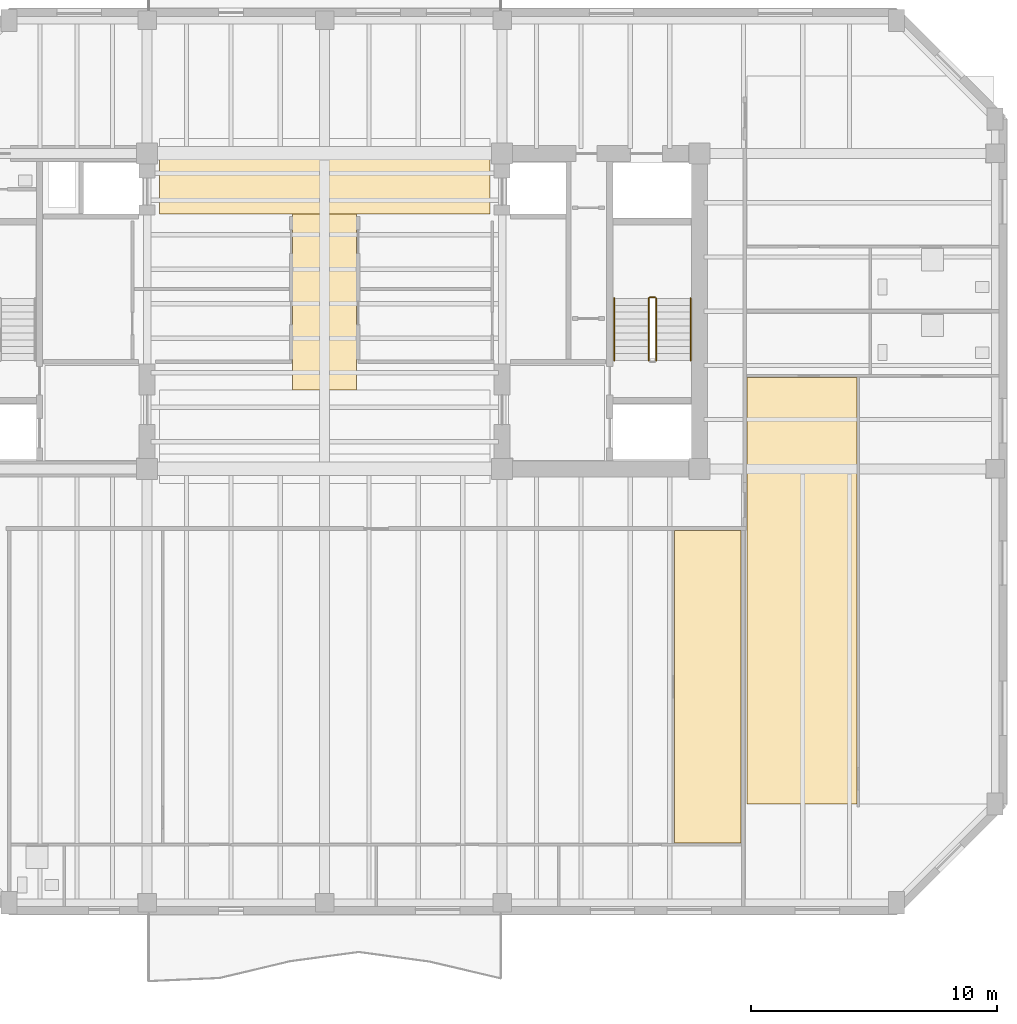
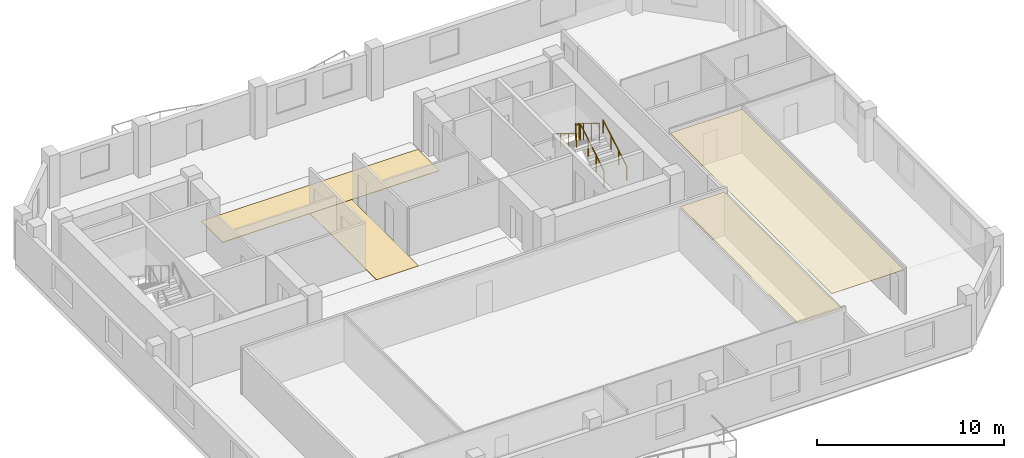
# One storey, part 7 of 9: 5 railings, 4 coverings.
"""IFC4 building model written with IfcOpenShell, lengths in metres."""

import ifcopenshell
import ifcopenshell.guid

model = None  # the IFC model being written
_history = None  # IfcOwnerHistory: only IFC2X3 demands one
_inside = {}  # id of a spatial element -> (the spatial element, [elements in it])
_under = {}  # id of a project, library or spatial element -> (it, [spatial elements below it])
_declared = {}  # id of a project -> (the project, [libraries it declares])
_typed = {}  # id of a type object -> (the type object, [elements of that type])
_made_of = {}  # id of a material, layer set ... -> (it, [elements and type objects made of it])


def new_model(schema):
    """Start an empty IFC model of exactly this schema.

    Asked for "IFC4X3", IfcOpenShell would pick the latest addendum, in which some entities
    have other attributes; the version numbers below select the first issue.
    IFC2X3 requires an IfcOwnerHistory on every rooted entity: one is made here for all.
    """
    global model, _history
    if schema == "IFC4X3":
        model = ifcopenshell.file(schema_version=(4, 3, 0, 0))
    else:
        model = ifcopenshell.file(schema=schema)
    _inside.clear()
    _under.clear()
    _declared.clear()
    _typed.clear()
    _made_of.clear()
    _history = None
    if model.schema == "IFC2X3":
        org = make("IfcOrganization", Name="unknown")
        user = make(
            "IfcPersonAndOrganization",
            ThePerson=make("IfcPerson", FamilyName="unknown"),
            TheOrganization=org,
        )
        app = make(
            "IfcApplication",
            ApplicationDeveloper=org,
            Version="unknown",
            ApplicationFullName="unknown",
            ApplicationIdentifier="unknown",
        )
        _history = make(
            "IfcOwnerHistory",
            OwningUser=user,
            OwningApplication=app,
            ChangeAction="ADDED",
            CreationDate=0,
        )
    return model


def make(cls, **values):
    """One entity of the class cls with the attributes given. An attribute that is None is left unset."""
    return model.create_entity(
        cls, **{name: value for name, value in values.items() if value is not None}
    )


def rooted(cls, **values):
    """An entity with a GlobalId (a new one), such as an element, a storey or a relation."""
    return make(cls, GlobalId=ifcopenshell.guid.new(), OwnerHistory=_history, **values)


def si_unit(unit_type, name, prefix=None):
    """IfcSIUnit, for example si_unit("LENGTHUNIT", "METRE", prefix="MILLI")."""
    return make("IfcSIUnit", UnitType=unit_type, Prefix=prefix, Name=name)


def assignment(units):
    """IfcUnitAssignment: the units of a project."""
    return None if units is None else make("IfcUnitAssignment", Units=units)


def point(xyz):
    """IfcCartesianPoint."""
    return None if xyz is None else make("IfcCartesianPoint", Coordinates=xyz)


def direction(xyz):
    """IfcDirection."""
    return None if xyz is None else make("IfcDirection", DirectionRatios=xyz)


def frame(location, z_axis=None, x_axis=None):
    """IfcAxis2Placement3D, a coordinate frame: its origin and axes. An axis left out is left unset."""
    return make(
        "IfcAxis2Placement3D",
        Location=point(location),
        Axis=direction(z_axis),
        RefDirection=direction(x_axis),
    )


def frame_2d(location, x_axis=None):
    """IfcAxis2Placement2D, a coordinate frame in the plane: its origin and x axis."""
    return make(
        "IfcAxis2Placement2D", Location=point(location), RefDirection=direction(x_axis)
    )


def origin():
    """The frame at (0, 0, 0) with its axes left unset."""
    return frame((0.0, 0.0, 0.0))


def origin_2d():
    """The frame at (0, 0) in the plane with its x axis left unset."""
    return frame_2d((0.0, 0.0))


def place(relative_to, where):
    """IfcLocalPlacement: puts the frame where relative to a parent placement (None: the world)."""
    return make(
        "IfcLocalPlacement", PlacementRelTo=relative_to, RelativePlacement=where
    )


def context(
    kind, dimensions, precision=None, world=None, true_north=None, identifier=None
):
    """IfcGeometricRepresentationContext, for example the 3D "Model" context."""
    return make(
        "IfcGeometricRepresentationContext",
        ContextIdentifier=identifier,
        ContextType=kind,
        CoordinateSpaceDimension=dimensions,
        Precision=precision,
        WorldCoordinateSystem=world,
        TrueNorth=true_north,
    )


def subcontext(parent, identifier, kind, view, scale=None):
    """IfcGeometricRepresentationSubContext, for example "Body" below "Model"."""
    return make(
        "IfcGeometricRepresentationSubContext",
        ContextIdentifier=identifier,
        ContextType=kind,
        ParentContext=parent,
        TargetScale=scale,
        TargetView=view,
    )


def project(units=None, contexts=None):
    """IfcProject with its units and contexts."""
    return rooted(
        "IfcProject",
        Name="project",
        RepresentationContexts=contexts,
        UnitsInContext=assignment(units),
    )


def spatial(cls, under=None, at=None, **own):
    """A site, building, storey or space (cls), placed at a placement, below another one or the project."""
    s = rooted(cls, ObjectPlacement=at, **own)
    if under is not None:
        _under.setdefault(under.id(), (under, []))[1].append(s)
    return s


def polyline(points):
    """IfcPolyline through the points."""
    return make("IfcPolyline", Points=[point(p) for p in points])


def profile(cls, at=None, kind="AREA", **sizes):
    """A parametric profile (cls). Its sizes go by their IFC names, for example OverallWidth=200.0."""
    return make(cls, ProfileType=kind, Position=at, **sizes)


def circle(**sizes):
    """IfcCircleProfileDef."""
    return profile("IfcCircleProfileDef", **sizes)


def outline(outer, holes=None, kind="AREA"):
    """IfcArbitraryClosedProfileDef: a profile drawn as a closed curve; with holes, ...WithVoids."""
    if holes is None:
        return make("IfcArbitraryClosedProfileDef", ProfileType=kind, OuterCurve=outer)
    return make(
        "IfcArbitraryProfileDefWithVoids",
        ProfileType=kind,
        OuterCurve=outer,
        InnerCurves=holes,
    )


def extrude(swept, where, along, depth):
    """IfcExtrudedAreaSolid: the profile swept, set in the frame where, extruded along a direction by depth."""
    return make(
        "IfcExtrudedAreaSolid",
        SweptArea=swept,
        Position=where,
        ExtrudedDirection=direction(along),
        Depth=depth,
    )


def shape(context_of_items, identifier, shape_type, items):
    """IfcShapeRepresentation: the items that make up one representation, for example the "Body"."""
    return make(
        "IfcShapeRepresentation",
        ContextOfItems=context_of_items,
        RepresentationIdentifier=identifier,
        RepresentationType=shape_type,
        Items=items,
    )


def material(Name=None, Category=None):
    """IfcMaterial."""
    return make("IfcMaterial", Name=Name, Category=Category)


def layer(
    of_material, thickness, ventilated=None, Name=None, Category=None, Priority=None
):
    """IfcMaterialLayer: one layer of a wall or slab, of a material (None: an air gap)."""
    return make(
        "IfcMaterialLayer",
        Material=of_material,
        LayerThickness=thickness,
        IsVentilated=ventilated,
        Name=Name,
        Category=Category,
        Priority=Priority,
    )


def layer_set(layers, Name=None):
    """IfcMaterialLayerSet."""
    return make("IfcMaterialLayerSet", MaterialLayers=layers, LayerSetName=Name)


def made_of(thing, what):
    """Note that an element or type object is made of a material, layer set ...; save() writes the relation."""
    if what is not None:
        _made_of.setdefault(what.id(), (what, []))[1].append(thing)
    return thing


def type_object(cls, material=None, **own):
    """A type object (cls), such as IfcWallType, which elements share."""
    return made_of(rooted(cls, **own), material)


def element(
    cls,
    number,
    at=None,
    inside=None,
    cuts=None,
    type_object=None,
    material=None,
    context=None,
    identifier="Body",
    shape_type=None,
    held_by="IfcProductDefinitionShape",
    body=None,
    shapes=None,
    **own,
):
    """One element of the class cls, such as IfcWall. Its Tag is "e" and its number.

    at: its placement. inside: the storey or other place that contains it. cuts: it is an
    opening in that element (IfcRelVoidsElement). A single representation is given by context,
    identifier, shape_type and body (its items); several are given by shapes. held_by: the class
    of the entity that holds the representations. save() writes the other relations.
    """
    e = rooted(cls, Tag="e%d" % number, ObjectPlacement=at, **own)
    if body is not None:
        shapes = [shape(context, identifier, shape_type, body)]
    if shapes is not None:
        e.Representation = make(held_by, Representations=shapes)
    if inside is not None:
        _inside.setdefault(inside.id(), (inside, []))[1].append(e)
    if cuts is not None:
        rooted(
            "IfcRelVoidsElement", RelatingBuildingElement=cuts, RelatedOpeningElement=e
        )
    if type_object is not None:
        _typed.setdefault(type_object.id(), (type_object, []))[1].append(e)
    return made_of(e, material)


def aggregate(whole, parts):
    """IfcRelAggregates: a whole, such as a stair, and the parts it consists of."""
    return rooted("IfcRelAggregates", RelatingObject=whole, RelatedObjects=parts)


def save(model, path):
    """Write the relations noted so far, then the file.

    IfcRelAggregates (storeys below a building ...), IfcRelContainedInSpatialStructure (elements
    in a storey), IfcRelDefinesByType, IfcRelAssociatesMaterial and IfcRelDeclares: one each for
    every whole, place, type object, material and project.
    """
    for whole, parts in _under.values():
        aggregate(whole, parts)
    for where, things in _inside.values():
        rooted(
            "IfcRelContainedInSpatialStructure",
            RelatedElements=things,
            RelatingStructure=where,
        )
    for kind, things in _typed.values():
        rooted("IfcRelDefinesByType", RelatedObjects=things, RelatingType=kind)
    for what, things in _made_of.values():
        rooted("IfcRelAssociatesMaterial", RelatedObjects=things, RelatingMaterial=what)
    for by, libraries in _declared.values():
        rooted("IfcRelDeclares", RelatingContext=by, RelatedDefinitions=libraries)
    model.write(path)


model = new_model("IFC4")

# Units and contexts
model_context = context("Model", 3, precision=1e-05, world=origin(), true_north=direction((0.0, 1.0)))
body_context = subcontext(model_context, "Body", "Model", "MODEL_VIEW")
ifc_project = project(units=[si_unit("LENGTHUNIT", "METRE"), si_unit("AREAUNIT", "SQUARE_METRE"), si_unit("VOLUMEUNIT", "CUBIC_METRE"), si_unit("PLANEANGLEUNIT", "RADIAN"), si_unit("MASSUNIT", "GRAM", prefix="KILO")], contexts=[model_context])

# Site, building, storey
site_placement = place(None, origin())
site = spatial("IfcSite", under=ifc_project, at=site_placement, CompositionType="ELEMENT")
building_placement = place(site_placement, origin())
building = spatial("IfcBuilding", under=site, at=building_placement, Name="Kranthara Brick Stack", CompositionType="ELEMENT")
storey_placement = place(building_placement, frame((0.0, 0.0, 238.10009765625)))
storey = spatial("IfcBuildingStorey", under=building, at=storey_placement, Name="L62", CompositionType="ELEMENT", Elevation=238.10009765625)

# Coverings
ifc_material_1 = material(Name="Perforated mineral-fibre acoustic ceiling tile", Category="other")
ifc_layer_1 = layer(ifc_material_1, 0.02490234375)
ifc_layer_set_1 = layer_set([ifc_layer_1], Name="Perforated mineral-fibre acoustic ceiling tile")
covering_type_1 = type_object("IfcCoveringType", Name="COV-CEIL-ACOUSTIC", PredefinedType="CEILING", material=ifc_layer_set_1)
covering_1_placement = place(storey_placement, frame((0.0, 0.0, 2.829833984375)))
element("IfcCovering", 1, at=covering_1_placement, inside=storey, type_object=covering_type_1, Name="L62 Unit L62A Bedroom 3 Acoustic Ceiling", PredefinedType="CEILING", context=body_context, shape_type="SweptSolid", body=[
    extrude(outline(polyline([(44.89990234375, 5.6298828125), (44.89990234375, 18.300048828125), (42.18798828125, 18.300048828125), (42.18798828125, 5.6298828125), (44.89990234375, 5.6298828125)])), origin(), (0.0, 0.0, 1.0), 0.025146484375),
])
covering_2_placement = place(storey_placement, frame((0.0, 0.0, 2.829833984375)))
element("IfcCovering", 2, at=covering_2_placement, inside=storey, type_object=covering_type_1, Name="L62 Unit L62B Studio Apartment Living Acoustic Ceiling", PredefinedType="CEILING", context=body_context, shape_type="SweptSolid", body=[
    extrude(outline(polyline([(49.595947265625, 7.199951171875), (49.595947265625, 24.510009765625), (45.139892578125, 24.510009765625), (45.139892578125, 7.199951171875), (49.595947265625, 7.199951171875)])), origin(), (0.0, 0.0, 1.0), 0.025146484375),
])
ifc_material_2 = material(Name="Honed terrazzo and porcelain floor finish", Category="stone")
ifc_layer_2 = layer(ifc_material_2, 0.030029296875)
ifc_layer_set_2 = layer_set([ifc_layer_2], Name="Honed terrazzo and porcelain floor finish")
covering_type_2 = type_object("IfcCoveringType", Name="COV-FLOR-STONE", PredefinedType="FLOORING", material=ifc_layer_set_2)
covering_3_placement = place(storey_placement, origin())
element("IfcCovering", 3, at=covering_3_placement, inside=storey, type_object=covering_type_2, Name="L62 Lift Lobby Stone Flooring", PredefinedType="FLOORING", context=body_context, shape_type="SweptSolid", body=[
    extrude(outline(polyline([(34.699951171875, 31.14990234375), (34.699951171875, 33.449951171875), (21.300048828125, 33.449951171875), (21.300048828125, 31.14990234375), (34.699951171875, 31.14990234375)])), origin(), (0.0, 0.0, 1.0), 0.02978515625),
])
covering_4_placement = place(storey_placement, origin())
element("IfcCovering", 4, at=covering_4_placement, inside=storey, type_object=covering_type_2, Name="L62 Lift Lobby Stone Flooring", PredefinedType="FLOORING", context=body_context, shape_type="SweptSolid", body=[
    extrude(outline(polyline([(29.300048828125, 24.0), (26.699951171875, 24.0), (26.699951171875, 31.14990234375), (29.300048828125, 31.14990234375), (29.300048828125, 24.0)])), origin(), (0.0, 0.0, 1.0), 0.02978515625),
])

# Railings
ifc_material_3 = material(Name="Painted galvanized steel stair guardrail", Category="steel")
railing_type_1 = type_object("IfcRailingType", Name="RL-STAIR-GUARD-1100", PredefinedType="GUARDRAIL", material=ifc_material_3)
railing_1_placement = place(storey_placement, frame((41.449951171875, 25.199951171875, 0.169921875)))
element("IfcRailing", 5, at=railing_1_placement, inside=storey, type_object=railing_type_1, Name="L62 ST02 stair guard 1", PredefinedType="GUARDRAIL", context=body_context, shape_type="SweptSolid", body=[
    extrude(circle(Radius=0.02392578125, at=origin_2d()), frame((0.0, 0.0, 1.076171875), z_axis=(0.0, 0.85478489116, 0.518982456201), x_axis=(-1.0, 0.0, 0.0)), (0.0, 0.0, 1.0), 2.9482421875),
    extrude(circle(Radius=0.02099609375, at=origin_2d()), origin(), (0.0, 0.0, 1.0), 1.052001953125),
    extrude(circle(Radius=0.02099609375, at=origin_2d()), frame((0.0, 0.840087890625, 0.510009765625)), (0.0, 0.0, 1.0), 1.052001953125),
    extrude(circle(Radius=0.02099609375, at=origin_2d()), frame((0.0, 1.679931640625, 1.02001953125)), (0.0, 0.0, 1.0), 1.052001953125),
    extrude(circle(Radius=0.02099609375, at=origin_2d()), frame((0.0, 2.52001953125, 1.530029296875)), (0.0, 0.0, 1.0), 1.052001953125),
])
railing_2_placement = place(storey_placement, frame((41.39990234375, 27.77001953125, 1.699951171875)))
element("IfcRailing", 6, at=railing_2_placement, inside=storey, type_object=railing_type_1, Name="L62 ST02 stair guard 2", PredefinedType="GUARDRAIL", context=body_context, shape_type="SweptSolid", body=[
    extrude(circle(Radius=0.02392578125, at=origin_2d()), frame((0.0, 0.0, 1.076171875), z_axis=(-1.0, 0.0, 0.0), x_axis=(0.0, -1.0, 0.0)), (0.0, 0.0, 1.0), 0.199951171875),
    extrude(circle(Radius=0.02099609375, at=origin_2d()), origin(), (0.0, 0.0, 1.0), 1.052001953125),
    extrude(circle(Radius=0.02099609375, at=origin_2d()), frame((-0.199951171875, 0.0, 0.0)), (0.0, 0.0, 1.0), 1.052001953125),
])
railing_3_placement = place(storey_placement, frame((41.14990234375, 27.719970703125, 1.869873046875)))
element("IfcRailing", 7, at=railing_3_placement, inside=storey, type_object=railing_type_1, Name="L62 ST02 stair guard 3", PredefinedType="GUARDRAIL", context=body_context, shape_type="SweptSolid", body=[
    extrude(circle(Radius=0.02392578125, at=origin_2d()), frame((0.0, 0.0, 1.076171875), z_axis=(0.0, -0.85478489116, 0.518982456201), x_axis=(1.0, 0.0, 0.0)), (0.0, 0.0, 1.0), 2.9482421875),
    extrude(circle(Radius=0.02099609375, at=origin_2d()), origin(), (0.0, 0.0, 1.0), 1.052001953125),
    extrude(circle(Radius=0.02099609375, at=origin_2d()), frame((0.0, -0.840087890625, 0.510009765625)), (0.0, 0.0, 1.0), 1.052001953125),
    extrude(circle(Radius=0.02099609375, at=origin_2d()), frame((0.0, -1.679931640625, 1.02001953125)), (0.0, 0.0, 1.0), 1.052001953125),
    extrude(circle(Radius=0.02099609375, at=origin_2d()), frame((0.0, -2.52001953125, 1.530029296875)), (0.0, 0.0, 1.0), 1.052001953125),
])
ifc_material_4 = material(Name="Brushed stainless steel tubular handrail", Category="steel")
railing_type_2 = type_object("IfcRailingType", Name="RL-STAIR-HAND-900", PredefinedType="HANDRAIL", material=ifc_material_4)
railing_4_placement = place(storey_placement, frame((42.85009765625, 25.199951171875, 0.169921875)))
element("IfcRailing", 8, at=railing_4_placement, inside=storey, type_object=railing_type_2, Name="L62 ST02 stair handrail 1", PredefinedType="HANDRAIL", context=body_context, shape_type="SweptSolid", body=[
    extrude(circle(Radius=0.02392578125, at=origin_2d()), frame((0.0, 0.0, 0.8759765625), z_axis=(0.0, 0.85478489116, 0.518982456201), x_axis=(-1.0, 0.0, 0.0)), (0.0, 0.0, 1.0), 2.9482421875),
    extrude(circle(Radius=0.02099609375, at=origin_2d()), origin(), (0.0, 0.0, 1.0), 0.851806640625),
    extrude(circle(Radius=0.02099609375, at=origin_2d()), frame((0.0, 0.840087890625, 0.510009765625)), (0.0, 0.0, 1.0), 0.851806640625),
    extrude(circle(Radius=0.02099609375, at=origin_2d()), frame((0.0, 1.679931640625, 1.02001953125)), (0.0, 0.0, 1.0), 0.851806640625),
    extrude(circle(Radius=0.02099609375, at=origin_2d()), frame((0.0, 2.52001953125, 1.530029296875)), (0.0, 0.0, 1.0), 0.851806640625),
])
railing_5_placement = place(storey_placement, frame((39.75, 27.719970703125, 1.869873046875)))
element("IfcRailing", 9, at=railing_5_placement, inside=storey, type_object=railing_type_2, Name="L62 ST02 stair handrail 2", PredefinedType="HANDRAIL", context=body_context, shape_type="SweptSolid", body=[
    extrude(circle(Radius=0.02392578125, at=origin_2d()), frame((0.0, 0.0, 0.8759765625), z_axis=(0.0, -0.85478489116, 0.518982456201), x_axis=(1.0, 0.0, 0.0)), (0.0, 0.0, 1.0), 2.9482421875),
    extrude(circle(Radius=0.02099609375, at=origin_2d()), origin(), (0.0, 0.0, 1.0), 0.851806640625),
    extrude(circle(Radius=0.02099609375, at=origin_2d()), frame((0.0, -0.840087890625, 0.510009765625)), (0.0, 0.0, 1.0), 0.851806640625),
    extrude(circle(Radius=0.02099609375, at=origin_2d()), frame((0.0, -1.679931640625, 1.02001953125)), (0.0, 0.0, 1.0), 0.851806640625),
    extrude(circle(Radius=0.02099609375, at=origin_2d()), frame((0.0, -2.52001953125, 1.530029296875)), (0.0, 0.0, 1.0), 0.851806640625),
])

save(model, "model.ifc")
